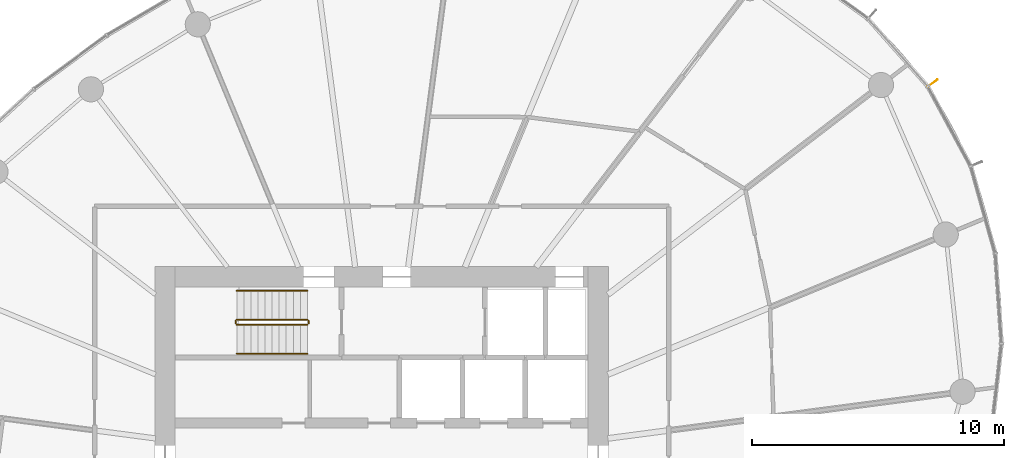
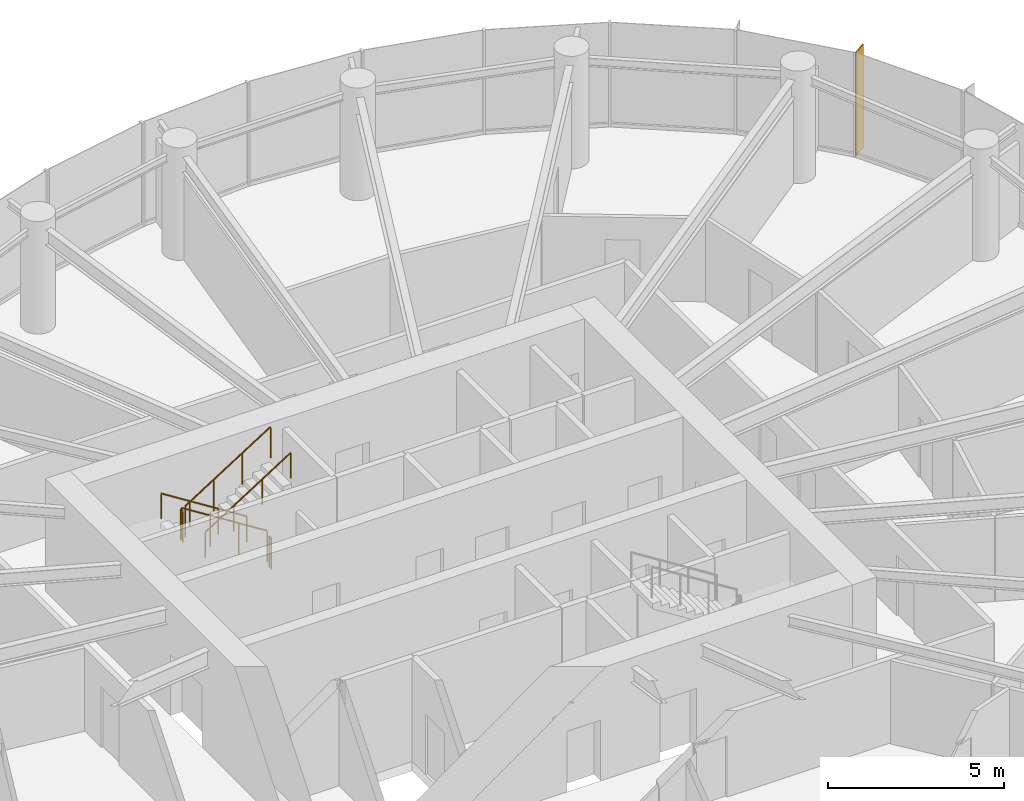
# One storey, part 13 of 14: 6 railings, 1 shading device.
"""IFC4 building model written with IfcOpenShell, lengths in metres."""

from ifc_helpers import new_model, si_unit, direction, frame, origin, origin_2d, place, context, subcontext, project, spatial, rectangle, circle, extrude, source, transform, mapped, material, material_profile, profile_set, type_object, element, save


model = new_model("IFC4")

# Units and contexts
model_context = context("Model", 3, precision=1e-05, world=origin(), true_north=direction((0.0, 1.0)))
body_context = subcontext(model_context, "Body", "Model", "MODEL_VIEW")
ifc_project = project(units=[si_unit("LENGTHUNIT", "METRE"), si_unit("AREAUNIT", "SQUARE_METRE"), si_unit("VOLUMEUNIT", "CUBIC_METRE"), si_unit("PLANEANGLEUNIT", "RADIAN"), si_unit("MASSUNIT", "GRAM", prefix="KILO")], contexts=[model_context])

# Site, building, storey
site_placement = place(None, origin())
site = spatial("IfcSite", under=ifc_project, at=site_placement, CompositionType="ELEMENT")
building_placement = place(site_placement, origin())
building = spatial("IfcBuilding", under=site, at=building_placement, Name="Spindrift Exchange Tower", CompositionType="ELEMENT")
storey_placement = place(building_placement, frame((0.0, 0.0, 164.300048828125)))
storey = spatial("IfcBuildingStorey", under=building, at=storey_placement, Name="L39", CompositionType="ELEMENT", Elevation=164.300048828125)

# Railings
ifc_material_1 = material(Name="Steel balustrade", Category="steel")
railing_type_1 = type_object("IfcRailingType", Name="RL-STAIR-GUARD", PredefinedType="GUARDRAIL", material=ifc_material_1)
railing_1_placement = place(storey_placement, frame((49.050048828125, 53.89990234375, 0.17724609375)))
element("IfcRailing", 1, at=railing_1_placement, inside=storey, type_object=railing_type_1, Name="L39 ST1 stair guard 1", PredefinedType="GUARDRAIL", context=body_context, shape_type="SweptSolid", body=[
    extrude(circle(Radius=0.02392578125, at=origin_2d()), frame((0.0, 0.0, 1.076171875), z_axis=(-0.844908973607, 0.0, 0.534910110503), x_axis=(0.0, -1.0, 0.0)), (0.0, 0.0, 1.0), 3.31396484375),
    extrude(circle(Radius=0.02099609375, at=origin_2d()), origin(), (0.0, 0.0, 1.0), 1.052001953125),
    extrude(circle(Radius=0.02099609375, at=origin_2d()), frame((-0.933349609375, 0.0, 0.5908203125)), (0.0, 0.0, 1.0), 1.052001953125),
    extrude(circle(Radius=0.02099609375, at=origin_2d()), frame((-1.86669921875, 0.0, 1.181884765625)), (0.0, 0.0, 1.0), 1.052001953125),
    extrude(circle(Radius=0.02099609375, at=origin_2d()), frame((-2.800048828125, 0.0, 1.772705078125)), (0.0, 0.0, 1.0), 1.052001953125),
])
railing_2_placement = place(storey_placement, frame((46.199951171875, 53.85009765625, 1.949951171875)))
element("IfcRailing", 2, at=railing_2_placement, inside=storey, type_object=railing_type_1, Name="L39 ST1 stair guard 2", PredefinedType="GUARDRAIL", context=body_context, shape_type="SweptSolid", body=[
    extrude(circle(Radius=0.02392578125, at=origin_2d()), frame((0.0, 0.0, 1.076171875), z_axis=(0.0, -1.0, 0.0), x_axis=(1.0, 0.0, 0.0)), (0.0, 0.0, 1.0), 0.10009765625),
    extrude(circle(Radius=0.02099609375, at=origin_2d()), origin(), (0.0, 0.0, 1.0), 1.052001953125),
    extrude(circle(Radius=0.02099609375, at=origin_2d()), frame((0.0, -0.10009765625, 0.0)), (0.0, 0.0, 1.0), 1.052001953125),
])
railing_3_placement = place(storey_placement, frame((46.25, 53.699951171875, 2.127197265625)))
element("IfcRailing", 3, at=railing_3_placement, inside=storey, type_object=railing_type_1, Name="L39 ST1 stair guard 3", PredefinedType="GUARDRAIL", context=body_context, shape_type="SweptSolid", body=[
    extrude(circle(Radius=0.02392578125, at=origin_2d()), frame((0.0, 0.0, 1.076171875), z_axis=(0.844908973607, 0.0, 0.534910110503), x_axis=(0.0, 1.0, 0.0)), (0.0, 0.0, 1.0), 3.31396484375),
    extrude(circle(Radius=0.02099609375, at=origin_2d()), origin(), (0.0, 0.0, 1.0), 1.052001953125),
    extrude(circle(Radius=0.02099609375, at=origin_2d()), frame((0.933349609375, 0.0, 0.5908203125)), (0.0, 0.0, 1.0), 1.052001953125),
    extrude(circle(Radius=0.02099609375, at=origin_2d()), frame((1.86669921875, 0.0, 1.181884765625)), (0.0, 0.0, 1.0), 1.052001953125),
    extrude(circle(Radius=0.02099609375, at=origin_2d()), frame((2.800048828125, 0.0, 1.772705078125)), (0.0, 0.0, 1.0), 1.052001953125),
])
railing_4_placement = place(storey_placement, frame((49.10009765625, 53.85009765625, 0.0)))
element("IfcRailing", 4, at=railing_4_placement, inside=storey, type_object=railing_type_1, Name="L39 ST1 stair guard 4", PredefinedType="GUARDRAIL", context=body_context, shape_type="SweptSolid", body=[
    extrude(circle(Radius=0.02392578125, at=origin_2d()), frame((0.0, 0.0, 1.076171875), z_axis=(0.0, -1.0, 0.0), x_axis=(1.0, 0.0, 0.0)), (0.0, 0.0, 1.0), 0.10009765625),
    extrude(circle(Radius=0.02099609375, at=origin_2d()), origin(), (0.0, 0.0, 1.0), 1.052001953125),
    extrude(circle(Radius=0.02099609375, at=origin_2d()), frame((0.0, -0.10009765625, 0.0)), (0.0, 0.0, 1.0), 1.052001953125),
])
ifc_material_2 = material(Name="Steel tubular handrail", Category="steel")
railing_type_2 = type_object("IfcRailingType", Name="RL-STAIR-HAND", PredefinedType="HANDRAIL", material=ifc_material_2)
railing_5_placement = place(storey_placement, frame((49.050048828125, 55.050048828125, 0.17724609375)))
element("IfcRailing", 5, at=railing_5_placement, inside=storey, type_object=railing_type_2, Name="L39 ST1 stair handrail 1", PredefinedType="HANDRAIL", context=body_context, shape_type="SweptSolid", body=[
    extrude(circle(Radius=0.02392578125, at=origin_2d()), frame((0.0, 0.0, 0.8759765625), z_axis=(-0.844908973607, 0.0, 0.534910110503), x_axis=(0.0, -1.0, 0.0)), (0.0, 0.0, 1.0), 3.31396484375),
    extrude(circle(Radius=0.02099609375, at=origin_2d()), origin(), (0.0, 0.0, 1.0), 0.851806640625),
    extrude(circle(Radius=0.02099609375, at=origin_2d()), frame((-0.933349609375, 0.0, 0.5908203125)), (0.0, 0.0, 1.0), 0.851806640625),
    extrude(circle(Radius=0.02099609375, at=origin_2d()), frame((-1.86669921875, 0.0, 1.181884765625)), (0.0, 0.0, 1.0), 0.851806640625),
    extrude(circle(Radius=0.02099609375, at=origin_2d()), frame((-2.800048828125, 0.0, 1.772705078125)), (0.0, 0.0, 1.0), 0.851806640625),
])
railing_6_placement = place(storey_placement, frame((46.25, 52.550048828125, 2.127197265625)))
element("IfcRailing", 6, at=railing_6_placement, inside=storey, type_object=railing_type_2, Name="L39 ST1 stair handrail 2", PredefinedType="HANDRAIL", context=body_context, shape_type="SweptSolid", body=[
    extrude(circle(Radius=0.02392578125, at=origin_2d()), frame((0.0, 0.0, 0.8759765625), z_axis=(0.844908973607, 0.0, 0.534910110503), x_axis=(0.0, 1.0, 0.0)), (0.0, 0.0, 1.0), 3.31396484375),
    extrude(circle(Radius=0.02099609375, at=origin_2d()), origin(), (0.0, 0.0, 1.0), 0.851806640625),
    extrude(circle(Radius=0.02099609375, at=origin_2d()), frame((0.933349609375, 0.0, 0.5908203125)), (0.0, 0.0, 1.0), 0.851806640625),
    extrude(circle(Radius=0.02099609375, at=origin_2d()), frame((1.86669921875, 0.0, 1.181884765625)), (0.0, 0.0, 1.0), 0.851806640625),
    extrude(circle(Radius=0.02099609375, at=origin_2d()), frame((2.800048828125, 0.0, 1.772705078125)), (0.0, 0.0, 1.0), 0.851806640625),
])

# Shading device
ifc_material_3 = material(Name="Bronze anodised aluminium", Category="aluminium")
ifc_material_profile = material_profile(ifc_material_3, rectangle(XDim=0.030029296875, YDim=0.5, at=origin_2d()), Name="WIND FIN 30X500")
ifc_profile_set = profile_set([ifc_material_profile], Name="Bronze anodised aluminium")
shading_device_type = type_object("IfcShadingDeviceType", Name="WIND FIN 30X500", PredefinedType="USERDEFINED", material=ifc_profile_set)
shared_shape = source(origin(), body_context, "Body", "SweptSolid", [
    extrude(rectangle(XDim=0.030029296875, YDim=0.5, at=origin_2d()), origin(), (0.0, 0.0, 1.0), 3.579833984375),
])
shading_device_placement = place(storey_placement, frame((73.869873046875, 63.2841796875, 0.0), z_axis=(0.0, 0.0, 1.0), x_axis=(-0.572837053203, 0.81966926896, 0.0)))
element("IfcShadingDevice", 7, at=shading_device_placement, inside=storey, type_object=shading_device_type, Name="L39 wind fin 2", ObjectType="FIN", PredefinedType="USERDEFINED", context=body_context, shape_type="MappedRepresentation", body=[
    mapped(shared_shape, transform((0.0, 0.0, 0.0), scale=1.0)),
])

save(model, "model.ifc")
